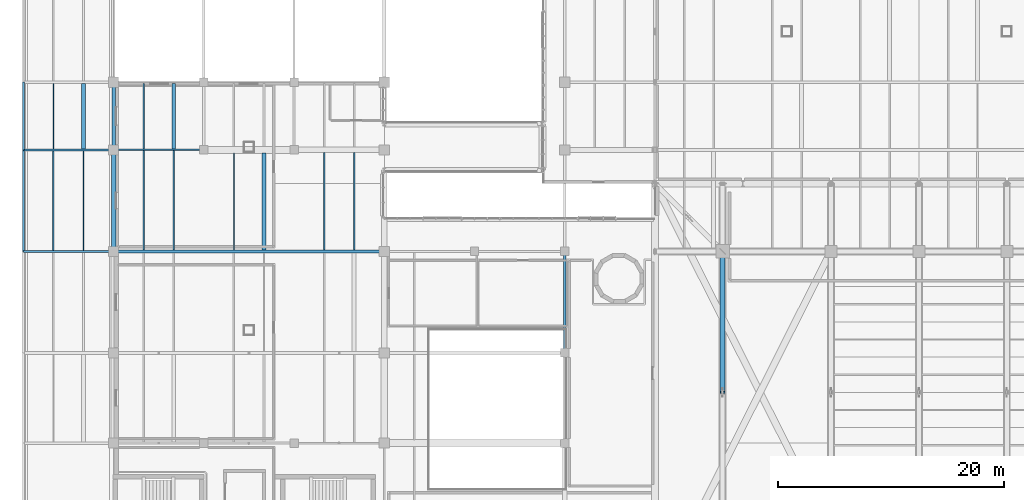
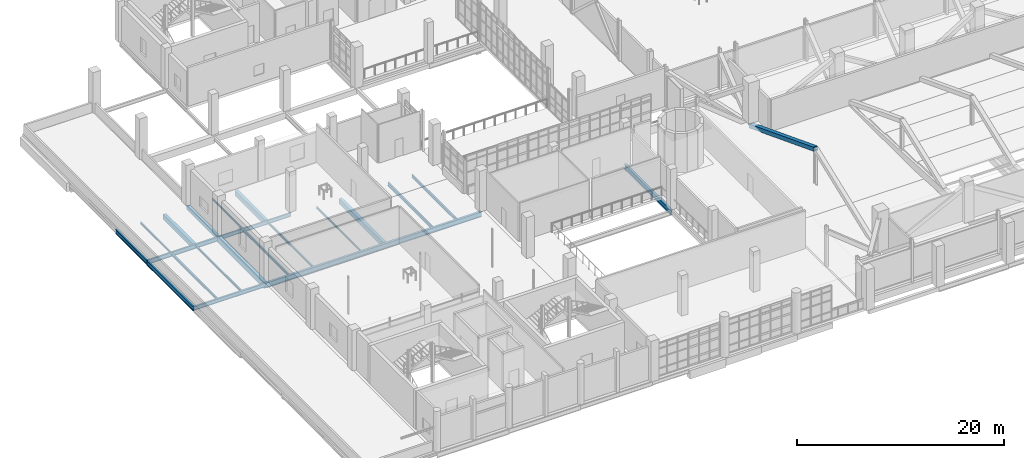
# One storey, part 26 of 127: 21 beams, 1 member.
"""IFC4 building model written with IfcOpenShell, lengths in metres."""

from ifc_helpers import new_model, si_unit, derived_unit, direction, frame, origin, origin_2d, place, context, subcontext, project, spatial, rectangle, hollow_rectangle, i_section, extrude, material, material_profile, profile_set, type_object, element, save


model = new_model("IFC4")

# Units and contexts
model_context = context("Model", 3, precision=1e-05, world=origin(), true_north=direction((0.0, 1.0)))
body_context = subcontext(model_context, "Body", "Model", "MODEL_VIEW")
ifc_project = project(units=[si_unit("LENGTHUNIT", "METRE"), si_unit("AREAUNIT", "SQUARE_METRE"), si_unit("VOLUMEUNIT", "CUBIC_METRE"), si_unit("PLANEANGLEUNIT", "RADIAN"), si_unit("MASSUNIT", "GRAM", prefix="KILO"), derived_unit("THERMALTRANSMITTANCEUNIT", [(si_unit("POWERUNIT", "WATT"), 1), (si_unit("LENGTHUNIT", "METRE"), -2), (si_unit("THERMODYNAMICTEMPERATUREUNIT", "KELVIN"), -1)])], contexts=[model_context])

# Site, building, storey
site_placement = place(None, origin())
site = spatial("IfcSite", under=ifc_project, at=site_placement, CompositionType="ELEMENT")
building_placement = place(site_placement, origin())
building = spatial("IfcBuilding", under=site, at=building_placement, Name="Nallur Shell Playhouse", CompositionType="ELEMENT")
storey_placement = place(building_placement, frame((0.0, 0.0, 5.39990234375)))
storey = spatial("IfcBuildingStorey", under=building, at=storey_placement, Name="L02", CompositionType="ELEMENT", Elevation=5.39990234375)

# Beams
ifc_material_1 = material(Name="Steel E250", Category="steel")
ifc_material_profile_1 = material_profile(ifc_material_1, i_section(OverallWidth=0.110107421875, OverallDepth=0.22509765625, WebThickness=0.006591796875, FlangeThickness=0.01171875, FilletRadius=0.011962890625, at=origin_2d()), Name="ISMB 225")
ifc_profile_set_1 = profile_set([ifc_material_profile_1], Name="Steel E250")
beam_type_1 = type_object("IfcBeamType", Name="BM-JST-ISMB225", PredefinedType="JOIST", material=ifc_profile_set_1)
beam_1_placement = place(storey_placement, frame((10.666748046875, 50.087890625, -0.392333984375), z_axis=(0.0, 1.0, 0.0), x_axis=(-1.0, 0.0, 0.0)))
element("IfcBeam", 1, at=beam_1_placement, inside=storey, type_object=beam_type_1, Name="L02 secondary joist 1-F-479", PredefinedType="JOIST", context=body_context, shape_type="SweptSolid", body=[
    extrude(i_section(OverallWidth=0.110107421875, OverallDepth=0.22509765625, WebThickness=0.006591796875, FlangeThickness=0.01171875, FilletRadius=0.011962890625, at=origin_2d()), origin(), (0.0, 0.0, 1.0), 5.7890625),
])
beam_2_placement = place(storey_placement, frame((18.666748046875, 50.072998046875, -0.392333984375), z_axis=(0.0, 1.0, 0.0), x_axis=(-1.0, 0.0, 0.0)))
element("IfcBeam", 2, at=beam_2_placement, inside=storey, type_object=beam_type_1, Name="L02 secondary joist 2-F-491", PredefinedType="JOIST", context=body_context, shape_type="SweptSolid", body=[
    extrude(i_section(OverallWidth=0.110107421875, OverallDepth=0.22509765625, WebThickness=0.006591796875, FlangeThickness=0.01171875, FilletRadius=0.011962890625, at=origin_2d()), origin(), (0.0, 0.0, 1.0), 5.803955078125),
])
beam_3_placement = place(storey_placement, frame((26.666748046875, 41.123046875, -0.392333984375), z_axis=(0.0, 1.0, 0.0), x_axis=(-1.0, 0.0, 0.0)))
element("IfcBeam", 3, at=beam_3_placement, inside=storey, type_object=beam_type_1, Name="L02 secondary joist 3-E-497", PredefinedType="JOIST", context=body_context, shape_type="SweptSolid", body=[
    extrude(i_section(OverallWidth=0.110107421875, OverallDepth=0.22509765625, WebThickness=0.006591796875, FlangeThickness=0.01171875, FilletRadius=0.011962890625, at=origin_2d()), origin(), (0.0, 0.0, 1.0), 8.578857421875),
])
ifc_material_profile_2 = material_profile(ifc_material_1, i_section(OverallWidth=0.125, OverallDepth=0.25, WebThickness=0.0068359375, FlangeThickness=0.012451171875, FilletRadius=0.012939453125, at=origin_2d()), Name="ISMB 250")
ifc_profile_set_2 = profile_set([ifc_material_profile_2], Name="Steel E250")
beam_type_2 = type_object("IfcBeamType", Name="BM-JST-ISMB250", PredefinedType="JOIST", material=ifc_profile_set_2)
beam_4_placement = place(storey_placement, frame((13.333251953125, 41.097900390625, -0.40478515625), z_axis=(0.0, 1.0, 0.0), x_axis=(-1.0, 0.0, 0.0)))
element("IfcBeam", 4, at=beam_4_placement, inside=storey, type_object=beam_type_2, Name="L02 secondary joist 1-E-478", PredefinedType="JOIST", context=body_context, shape_type="SweptSolid", body=[
    extrude(i_section(OverallWidth=0.125, OverallDepth=0.25, WebThickness=0.0068359375, FlangeThickness=0.012451171875, FilletRadius=0.012939453125, at=origin_2d()), origin(), (0.0, 0.0, 1.0), 8.814208984375),
])
beam_5_placement = place(storey_placement, frame((21.333251953125, 41.123046875, -0.40478515625), z_axis=(0.0, 1.0, 0.0), x_axis=(-1.0, 0.0, 0.0)))
element("IfcBeam", 5, at=beam_5_placement, inside=storey, type_object=beam_type_2, Name="L02 secondary joist 2-E-490", PredefinedType="JOIST", context=body_context, shape_type="SweptSolid", body=[
    extrude(i_section(OverallWidth=0.125, OverallDepth=0.25, WebThickness=0.0068359375, FlangeThickness=0.012451171875, FilletRadius=0.012939453125, at=origin_2d()), origin(), (0.0, 0.0, 1.0), 8.803955078125),
])
ifc_material_profile_3 = material_profile(ifc_material_1, i_section(OverallWidth=0.139892578125, OverallDepth=0.300048828125, WebThickness=0.0078125, FlangeThickness=0.01318359375, FilletRadius=0.013916015625, at=origin_2d()), Name="ISMB 300")
ifc_profile_set_3 = profile_set([ifc_material_profile_3], Name="Steel E250")
beam_type_3 = type_object("IfcBeamType", Name="BM-JST-ISMB300", PredefinedType="JOIST", material=ifc_profile_set_3)
beam_6_placement = place(storey_placement, frame((10.666748046875, 41.097900390625, -0.429931640625), z_axis=(0.0, 1.0, 0.0), x_axis=(-1.0, 0.0, 0.0)))
element("IfcBeam", 6, at=beam_6_placement, inside=storey, type_object=beam_type_3, Name="L02 secondary joist 1-E-477", PredefinedType="JOIST", context=body_context, shape_type="SweptSolid", body=[
    extrude(i_section(OverallWidth=0.139892578125, OverallDepth=0.300048828125, WebThickness=0.0078125, FlangeThickness=0.01318359375, FilletRadius=0.013916015625, at=origin_2d()), origin(), (0.0, 0.0, 1.0), 8.814208984375),
])
beam_7_placement = place(storey_placement, frame((18.666748046875, 41.123046875, -0.429931640625), z_axis=(0.0, 1.0, 0.0), x_axis=(-1.0, 0.0, 0.0)))
element("IfcBeam", 7, at=beam_7_placement, inside=storey, type_object=beam_type_3, Name="L02 secondary joist 2-E-489", PredefinedType="JOIST", context=body_context, shape_type="SweptSolid", body=[
    extrude(i_section(OverallWidth=0.139892578125, OverallDepth=0.300048828125, WebThickness=0.0078125, FlangeThickness=0.01318359375, FilletRadius=0.013916015625, at=origin_2d()), origin(), (0.0, 0.0, 1.0), 8.803955078125),
])
ifc_material_profile_4 = material_profile(ifc_material_1, i_section(OverallWidth=0.139892578125, OverallDepth=0.35009765625, WebThickness=0.008056640625, FlangeThickness=0.01416015625, FilletRadius=0.013916015625, at=origin_2d()), Name="ISMB 350")
ifc_profile_set_4 = profile_set([ifc_material_profile_4], Name="Steel E250")
beam_type_4 = type_object("IfcBeamType", Name="BM-JST-ISMB350", PredefinedType="JOIST", material=ifc_profile_set_4)
beam_8_placement = place(storey_placement, frame((37.333251953125, 41.123046875, -0.454833984375), z_axis=(0.0, 1.0, 0.0), x_axis=(-1.0, 0.0, 0.0)))
element("IfcBeam", 8, at=beam_8_placement, inside=storey, type_object=beam_type_4, Name="L02 secondary joist 4-E-506", PredefinedType="JOIST", context=body_context, shape_type="SweptSolid", body=[
    extrude(i_section(OverallWidth=0.139892578125, OverallDepth=0.35009765625, WebThickness=0.008056640625, FlangeThickness=0.01416015625, FilletRadius=0.013916015625, at=origin_2d()), origin(), (0.0, 0.0, 1.0), 8.62890625),
])
ifc_material_profile_5 = material_profile(ifc_material_1, i_section(OverallWidth=0.139892578125, OverallDepth=0.39990234375, WebThickness=0.0087890625, FlangeThickness=0.01611328125, FilletRadius=0.013916015625, at=origin_2d()), Name="ISMB 400")
ifc_profile_set_5 = profile_set([ifc_material_profile_5], Name="Steel E250")
beam_type_5 = type_object("IfcBeamType", Name="BM-JST-ISMB400", PredefinedType="JOIST", material=ifc_profile_set_5)
beam_9_placement = place(storey_placement, frame((34.666748046875, 41.123046875, -0.47998046875), z_axis=(0.0, 1.0, 0.0), x_axis=(-1.0, 0.0, 0.0)))
element("IfcBeam", 9, at=beam_9_placement, inside=storey, type_object=beam_type_5, Name="L02 secondary joist 4-E-505", PredefinedType="JOIST", context=body_context, shape_type="SweptSolid", body=[
    extrude(i_section(OverallWidth=0.139892578125, OverallDepth=0.39990234375, WebThickness=0.0087890625, FlangeThickness=0.01611328125, FilletRadius=0.013916015625, at=origin_2d()), origin(), (0.0, 0.0, 1.0), 8.62890625),
])
ifc_material_2 = material(Name="Concrete M30", Category="concrete")
ifc_material_profile_6 = material_profile(ifc_material_2, rectangle(XDim=0.35009765625, YDim=0.60009765625, at=origin_2d()), Name="RC 350x600")
ifc_profile_set_6 = profile_set([ifc_material_profile_6], Name="Concrete M30")
beam_type_6 = type_object("IfcBeamType", Name="BM-RC-350x600", PredefinedType="JOIST", material=ifc_profile_set_6)
beam_10_placement = place(storey_placement, frame((13.333251953125, 50.087890625, -0.579833984375), z_axis=(0.0, 1.0, 0.0), x_axis=(-1.0, 0.0, 0.0)))
element("IfcBeam", 10, at=beam_10_placement, inside=storey, type_object=beam_type_6, Name="L02 secondary joist 1-F-480", PredefinedType="JOIST", context=body_context, shape_type="SweptSolid", body=[
    extrude(rectangle(XDim=0.35009765625, YDim=0.60009765625, at=origin_2d()), origin(), (0.0, 0.0, 1.0), 5.7890625),
])
beam_11_placement = place(storey_placement, frame((21.333251953125, 50.072998046875, -0.579833984375), z_axis=(0.0, 1.0, 0.0), x_axis=(-1.0, 0.0, 0.0)))
element("IfcBeam", 11, at=beam_11_placement, inside=storey, type_object=beam_type_6, Name="L02 secondary joist 2-F-492", PredefinedType="JOIST", context=body_context, shape_type="SweptSolid", body=[
    extrude(rectangle(XDim=0.35009765625, YDim=0.60009765625, at=origin_2d()), origin(), (0.0, 0.0, 1.0), 5.803955078125),
])
beam_12_placement = place(storey_placement, frame((29.333251953125, 41.123046875, -0.579833984375), z_axis=(0.0, 1.0, 0.0), x_axis=(-1.0, 0.0, 0.0)))
element("IfcBeam", 12, at=beam_12_placement, inside=storey, type_object=beam_type_6, Name="L02 secondary joist 3-E-498", PredefinedType="JOIST", context=body_context, shape_type="SweptSolid", body=[
    extrude(rectangle(XDim=0.35009765625, YDim=0.60009765625, at=origin_2d()), origin(), (0.0, 0.0, 1.0), 8.578857421875),
])
ifc_material_3 = material(Name="Concrete M35", Category="concrete")
ifc_material_profile_7 = material_profile(ifc_material_3, rectangle(XDim=0.39990234375, YDim=0.64990234375, at=origin_2d()), Name="RC 400x650")
ifc_profile_set_7 = profile_set([ifc_material_profile_7], Name="Concrete M35")
beam_type_7 = type_object("IfcBeamType", Name="BM-RC-400x650", PredefinedType="BEAM", material=ifc_profile_set_7)
beam_13_placement = place(storey_placement, frame((16.0, 41.0, -0.60498046875), z_axis=(0.0, 1.0, 0.0), x_axis=(-1.0, 0.0, 0.0)))
element("IfcBeam", 13, at=beam_13_placement, inside=storey, type_object=beam_type_7, Name="L02 girder Y-2-399", PredefinedType="BEAM", context=body_context, shape_type="SweptSolid", body=[
    extrude(rectangle(XDim=0.39990234375, YDim=0.64990234375, at=origin_2d()), origin(), (0.0, 0.0, 1.0), 9.0),
])
ifc_material_profile_8 = material_profile(ifc_material_3, rectangle(XDim=0.300048828125, YDim=0.449951171875, at=origin_2d()), Name="RC 300x450")
ifc_profile_set_8 = profile_set([ifc_material_profile_8], Name="Concrete M35")
beam_type_8 = type_object("IfcBeamType", Name="BM-SPN-300x450", PredefinedType="SPANDREL", material=ifc_profile_set_8)
beam_14_placement = place(storey_placement, frame((16.0, 50.0, -0.5048828125), z_axis=(0.0, 1.0, 0.0), x_axis=(-1.0, 0.0, 0.0)))
element("IfcBeam", 14, at=beam_14_placement, inside=storey, type_object=beam_type_8, Name="L02 girder Y-2-400", PredefinedType="SPANDREL", context=body_context, shape_type="SweptSolid", body=[
    extrude(rectangle(XDim=0.300048828125, YDim=0.449951171875, at=origin_2d()), origin(), (0.0, 0.0, 1.0), 6.0),
])
ifc_material_4 = material(Name="Steel E350", Category="steel")
ifc_material_profile_9 = material_profile(ifc_material_4, i_section(OverallWidth=0.14990234375, OverallDepth=0.449951171875, WebThickness=0.009521484375, FlangeThickness=0.017333984375, FilletRadius=0.014892578125, at=origin_2d()), Name="ISMB 450")
ifc_profile_set_9 = profile_set([ifc_material_profile_9], Name="Steel E350")
beam_type_9 = type_object("IfcBeamType", Name="BM-ST-ISMB450", PredefinedType="BEAM", material=ifc_profile_set_9)
beam_15_placement = place(storey_placement, frame((16.0, 50.0, -0.5048828125), z_axis=(1.0, 0.0, 0.0), x_axis=(0.0, 1.0, 0.0)))
element("IfcBeam", 15, at=beam_15_placement, inside=storey, type_object=beam_type_9, Name="L02 girder X-F-347", PredefinedType="BEAM", context=body_context, shape_type="SweptSolid", body=[
    extrude(i_section(OverallWidth=0.14990234375, OverallDepth=0.449951171875, WebThickness=0.009521484375, FlangeThickness=0.017333984375, FilletRadius=0.014892578125, at=origin_2d()), origin(), (0.0, 0.0, 1.0), 8.0),
])
ifc_material_profile_10 = material_profile(ifc_material_4, i_section(OverallWidth=0.179931640625, OverallDepth=0.5, WebThickness=0.01025390625, FlangeThickness=0.01708984375, FilletRadius=0.01708984375, at=origin_2d()), Name="ISMB 500")
ifc_profile_set_10 = profile_set([ifc_material_profile_10], Name="Steel E350")
beam_type_10 = type_object("IfcBeamType", Name="BM-ST-ISMB500", PredefinedType="BEAM", material=ifc_profile_set_10)
beam_16_placement = place(storey_placement, frame((8.0, 50.0, -0.52978515625), z_axis=(1.0, 0.0, 0.0), x_axis=(0.0, 1.0, 0.0)))
element("IfcBeam", 16, at=beam_16_placement, inside=storey, type_object=beam_type_10, Name="L02 girder X-F-346", PredefinedType="BEAM", context=body_context, shape_type="SweptSolid", body=[
    extrude(i_section(OverallWidth=0.179931640625, OverallDepth=0.5, WebThickness=0.01025390625, FlangeThickness=0.01708984375, FilletRadius=0.01708984375, at=origin_2d()), origin(), (0.0, 0.0, 1.0), 8.0),
])
beam_17_placement = place(storey_placement, frame((8.0, 50.0, -0.52978515625), z_axis=(0.0, 1.0, 0.0), x_axis=(-1.0, 0.0, 0.0)))
element("IfcBeam", 17, at=beam_17_placement, inside=storey, type_object=beam_type_10, Name="L02 girder Y-1-394", PredefinedType="BEAM", context=body_context, shape_type="SweptSolid", body=[
    extrude(i_section(OverallWidth=0.179931640625, OverallDepth=0.5, WebThickness=0.01025390625, FlangeThickness=0.01708984375, FilletRadius=0.01708984375, at=origin_2d()), origin(), (0.0, 0.0, 1.0), 6.0),
])
ifc_material_profile_11 = material_profile(ifc_material_4, i_section(OverallWidth=0.18994140625, OverallDepth=0.550048828125, WebThickness=0.01123046875, FlangeThickness=0.019287109375, FilletRadius=0.01806640625, at=origin_2d()), Name="ISMB 550")
ifc_profile_set_11 = profile_set([ifc_material_profile_11], Name="Steel E350")
beam_type_11 = type_object("IfcBeamType", Name="BM-ST-ISMB550", PredefinedType="BEAM", material=ifc_profile_set_11)
beam_18_placement = place(storey_placement, frame((8.0, 41.0, -0.554931640625), z_axis=(0.0, 1.0, 0.0), x_axis=(-1.0, 0.0, 0.0)))
element("IfcBeam", 18, at=beam_18_placement, inside=storey, type_object=beam_type_11, Name="L02 girder Y-1-393", PredefinedType="BEAM", context=body_context, shape_type="SweptSolid", body=[
    extrude(i_section(OverallWidth=0.18994140625, OverallDepth=0.550048828125, WebThickness=0.01123046875, FlangeThickness=0.019287109375, FilletRadius=0.01806640625, at=origin_2d()), origin(), (0.0, 0.0, 1.0), 9.0),
])
ifc_material_profile_12 = material_profile(ifc_material_4, i_section(OverallWidth=0.199951171875, OverallDepth=0.449951171875, WebThickness=0.00927734375, FlangeThickness=0.015380859375, FilletRadius=0.013916015625, at=origin_2d()), Name="ISWB 450")
ifc_profile_set_12 = profile_set([ifc_material_profile_12], Name="Steel E350")
beam_type_12 = type_object("IfcBeamType", Name="BM-ST-ISWB450", PredefinedType="BEAM", material=ifc_profile_set_12)
beam_19_placement = place(storey_placement, frame((8.0, 41.0, -0.5048828125), z_axis=(1.0, 0.0, 0.0), x_axis=(0.0, 1.0, 0.0)))
element("IfcBeam", 19, at=beam_19_placement, inside=storey, type_object=beam_type_12, Name="L02 girder X-E-340", PredefinedType="BEAM", context=body_context, shape_type="SweptSolid", body=[
    extrude(i_section(OverallWidth=0.199951171875, OverallDepth=0.449951171875, WebThickness=0.00927734375, FlangeThickness=0.015380859375, FilletRadius=0.013916015625, at=origin_2d()), origin(), (0.0, 0.0, 1.0), 8.0),
])
ifc_material_profile_13 = material_profile(ifc_material_4, i_section(OverallWidth=0.25, OverallDepth=0.60009765625, WebThickness=0.01171875, FlangeThickness=0.023681640625, FilletRadius=0.01708984375, at=origin_2d()), Name="ISWB 600")
ifc_profile_set_13 = profile_set([ifc_material_profile_13], Name="Steel E350")
beam_type_13 = type_object("IfcBeamType", Name="BM-ST-ISWB600", PredefinedType="BEAM", material=ifc_profile_set_13)
beam_20_placement = place(storey_placement, frame((56.0, 32.0, -0.579833984375), z_axis=(0.0, 1.0, 0.0), x_axis=(-1.0, 0.0, 0.0)))
element("IfcBeam", 20, at=beam_20_placement, inside=storey, type_object=beam_type_13, Name="L02 girder Y-7-433", PredefinedType="BEAM", context=body_context, shape_type="SweptSolid", body=[
    extrude(i_section(OverallWidth=0.25, OverallDepth=0.60009765625, WebThickness=0.01171875, FlangeThickness=0.023681640625, FilletRadius=0.01708984375, at=origin_2d()), origin(), (0.0, 0.0, 1.0), 9.0),
])
beam_21_placement = place(storey_placement, frame((16.0, 41.0, -0.579833984375), z_axis=(1.0, 0.0, 0.0), x_axis=(0.0, 1.0, 0.0)))
element("IfcBeam", 21, at=beam_21_placement, inside=storey, type_object=beam_type_13, Name="L02 long-span hall girder Y=41.0-469", PredefinedType="BEAM", context=body_context, shape_type="SweptSolid", body=[
    extrude(i_section(OverallWidth=0.25, OverallDepth=0.60009765625, WebThickness=0.01171875, FlangeThickness=0.023681640625, FilletRadius=0.01708984375, at=origin_2d()), origin(), (0.0, 0.0, 1.0), 24.0),
])

# Member
ifc_material_profile_14 = material_profile(ifc_material_4, hollow_rectangle(XDim=0.449951171875, YDim=0.449951171875, WallThickness=0.02001953125, at=origin_2d()), Name="BOX 450x450x20")
ifc_profile_set_14 = profile_set([ifc_material_profile_14], Name="Steel E350")
member_type = type_object("IfcMemberType", Name="MB-TT-DIAG", PredefinedType="BRACE", material=ifc_profile_set_14)
member_placement = place(storey_placement, frame((70.0, 28.5, 4.14013671875), z_axis=(0.0, 0.933035744056, -0.359783685447), x_axis=(-1.0, 0.0, 0.0)))
element("IfcMember", 22, at=member_placement, inside=storey, type_object=member_type, Name="Transfer truss TT-3 diagonal 3", PredefinedType="BRACE", context=body_context, shape_type="SweptSolid", body=[
    extrude(hollow_rectangle(XDim=0.449951171875, YDim=0.449951171875, WallThickness=0.02001953125, at=origin_2d()), origin(), (0.0, 0.0, 1.0), 13.397216796875),
])

save(model, "model.ifc")
